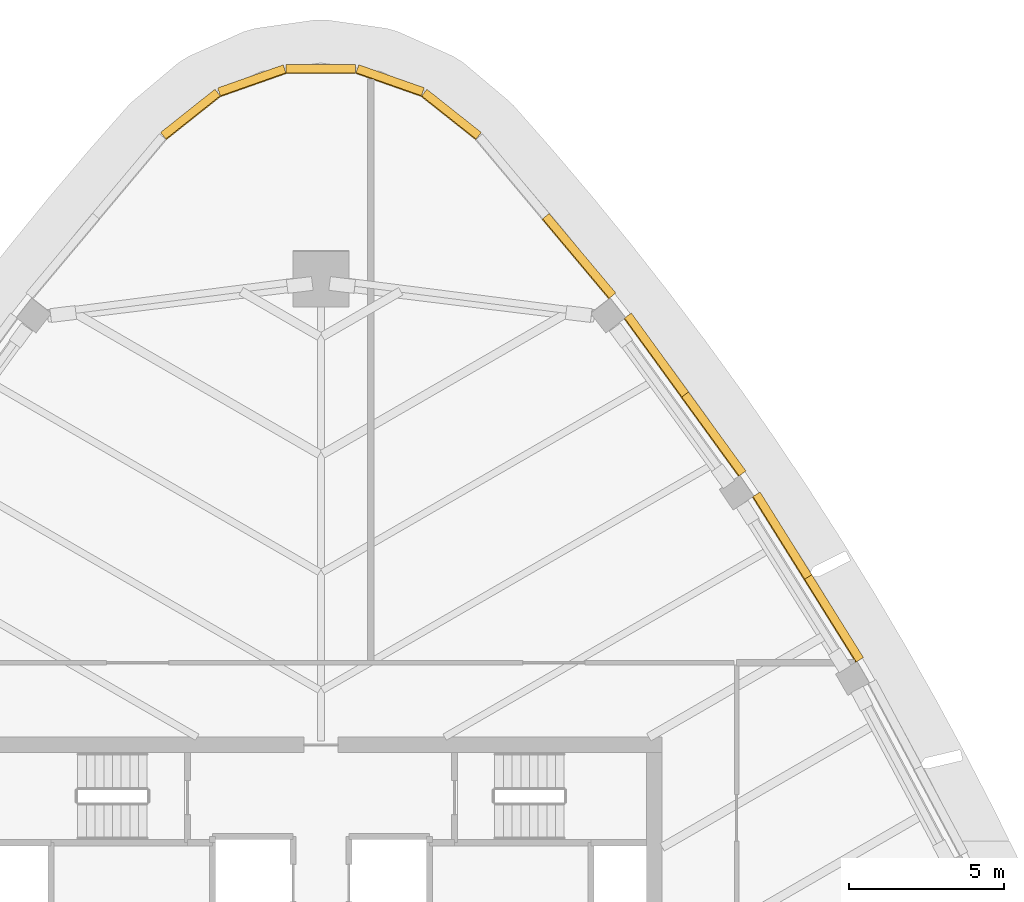
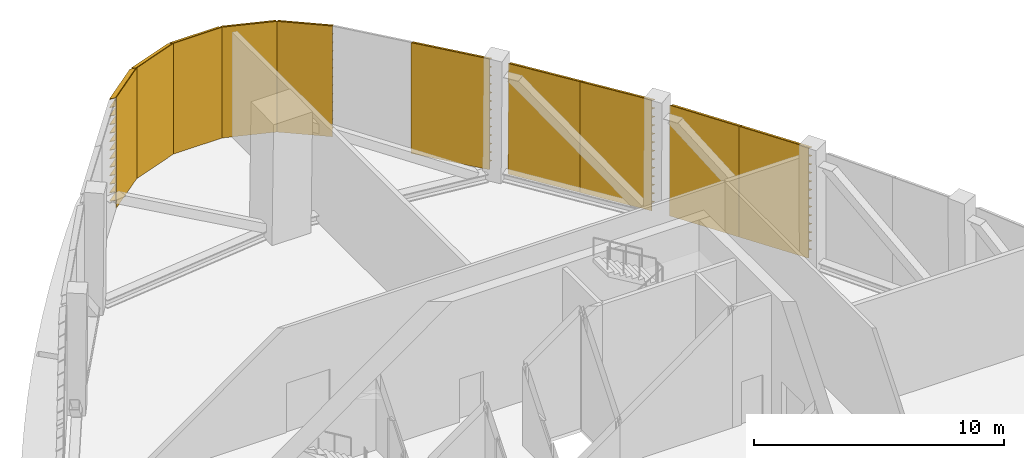
# One storey, part 13 of 15: 10 shading devices.
"""IFC4 building model written with IfcOpenShell, lengths in metres."""

from ifc_helpers import new_model, si_unit, direction, frame, origin, place, context, subcontext, project, spatial, polyline, outline, extrude, material, type_object, element, save


model = new_model("IFC4")

# Units and contexts
model_context = context("Model", 3, precision=1e-05, world=origin(), true_north=direction((0.0, 1.0)))
body_context = subcontext(model_context, "Body", "Model", "MODEL_VIEW")
ifc_project = project(units=[si_unit("LENGTHUNIT", "METRE"), si_unit("AREAUNIT", "SQUARE_METRE"), si_unit("VOLUMEUNIT", "CUBIC_METRE"), si_unit("PLANEANGLEUNIT", "RADIAN"), si_unit("MASSUNIT", "GRAM", prefix="KILO")], contexts=[model_context])

# Site, building, storey
site_placement = place(None, origin())
site = spatial("IfcSite", under=ifc_project, at=site_placement, CompositionType="ELEMENT")
building_placement = place(site_placement, origin())
building = spatial("IfcBuilding", under=site, at=building_placement, Name="Sierra Prisma Convention Tower", CompositionType="ELEMENT")
storey_placement = place(building_placement, frame((0.0, 0.0, 324.39990234375)))
storey = spatial("IfcBuildingStorey", under=building, at=storey_placement, Name="L74", CompositionType="ELEMENT", Elevation=324.39990234375)

# Shading devices
ifc_material = material(Name="Aluminium 6063-T6 bronze anodised", Category="aluminium")
shading_device_type = type_object("IfcShadingDeviceType", Name="Louvre bay bronze", PredefinedType="USERDEFINED", material=ifc_material)
shading_device_1_placement = place(storey_placement, frame((17.231201171875, 10.409912109375, 0.0), z_axis=(0.529934826924, -0.848038371309, 0.0), x_axis=(0.0, 0.0, 1.0)))
element("IfcShadingDevice", 1, at=shading_device_1_placement, inside=storey, type_object=shading_device_type, Name="Louvre L74 NE4.1", ObjectType="LOUVRE", PredefinedType="USERDEFINED", context=body_context, shape_type="SweptSolid", body=[
    extrude(outline(polyline([(0.0, 0.0), (5.400146484375, 0.0), (5.400146484375, -0.029941834562068684), (5.380126953125, -0.029941834562068684), (5.260009765625, -0.29996180547653223), (5.22998046875, -0.29996180547653223), (5.35009765625, -0.029941834562068684), (4.984619140625, -0.029941834562068684), (4.964599609375, -0.029941834562068684), (4.8447265625, -0.29996180547653223), (4.814697265625, -0.29996180547653223), (4.934814453125, -0.029941834562068684), (4.5693359375, -0.029941834562068684), (4.54931640625, -0.029941834562068684), (4.429443359375, -0.29996180547653223), (4.3994140625, -0.29996180547653223), (4.519287109375, -0.029941834562068684), (4.154052734375, -0.029941834562068684), (4.134033203125, -0.029941834562068684), (4.013916015625, -0.29996180547653223), (3.98388671875, -0.29996180547653223), (4.10400390625, -0.029941834562068684), (3.738525390625, -0.029941834562068684), (3.718505859375, -0.029941834562068684), (3.5986328125, -0.29996180547653223), (3.568603515625, -0.29996180547653223), (3.6884765625, -0.029941834562068684), (3.3232421875, -0.029941834562068684), (3.30322265625, -0.029941834562068684), (3.18310546875, -0.29996180547653223), (3.153076171875, -0.29996180547653223), (3.273193359375, -0.029941834562068684), (2.90771484375, -0.029941834562068684), (2.8876953125, -0.029941834562068684), (2.767822265625, -0.29996180547653223), (2.73779296875, -0.29996180547653223), (2.85791015625, -0.029941834562068684), (2.492431640625, -0.029941834562068684), (2.472412109375, -0.029941834562068684), (2.352294921875, -0.29996180547653223), (2.322509765625, -0.29996180547653223), (2.4423828125, -0.029941834562068684), (2.076904296875, -0.029941834562068684), (2.05712890625, -0.029941834562068684), (1.93701171875, -0.29996180547653223), (1.906982421875, -0.29996180547653223), (2.027099609375, -0.029941834562068684), (1.66162109375, -0.029941834562068684), (1.6416015625, -0.029941834562068684), (1.521728515625, -0.29996180547653223), (1.49169921875, -0.29996180547653223), (1.611572265625, -0.029941834562068684), (1.246337890625, -0.029941834562068684), (1.226318359375, -0.029941834562068684), (1.106201171875, -0.29996180547653223), (1.076171875, -0.29996180547653223), (1.1962890625, -0.029941834562068684), (0.830810546875, -0.029941834562068684), (0.810791015625, -0.029941834562068684), (0.69091796875, -0.29996180547653223), (0.660888671875, -0.29996180547653223), (0.78076171875, -0.029941834562068684), (0.41552734375, -0.029941834562068684), (0.3955078125, -0.029941834562068684), (0.275390625, -0.29996180547653223), (0.245361328125, -0.29996180547653223), (0.365478515625, -0.029941834562068684), (0.0, -0.029941834562068684), (0.0, 0.0)])), origin(), (0.0, 0.0, -1.0), 3.1435546875),
])
shading_device_2_placement = place(storey_placement, frame((15.566162109375, 13.076416015625, 0.0), z_axis=(0.529934826924, -0.848038371309, 0.0), x_axis=(0.0, 0.0, 1.0)))
element("IfcShadingDevice", 2, at=shading_device_2_placement, inside=storey, type_object=shading_device_type, Name="Louvre L74 NE4.2", ObjectType="LOUVRE", PredefinedType="USERDEFINED", context=body_context, shape_type="SweptSolid", body=[
    extrude(outline(polyline([(0.0, 0.0), (5.400146484375, 0.0), (5.400146484375, -0.029941834562068684), (5.380126953125, -0.029941834562068684), (5.260009765625, -0.29996180547653223), (5.22998046875, -0.29996180547653223), (5.35009765625, -0.029941834562068684), (4.984619140625, -0.029941834562068684), (4.964599609375, -0.029941834562068684), (4.8447265625, -0.29996180547653223), (4.814697265625, -0.29996180547653223), (4.934814453125, -0.029941834562068684), (4.5693359375, -0.029941834562068684), (4.54931640625, -0.029941834562068684), (4.429443359375, -0.29996180547653223), (4.3994140625, -0.29996180547653223), (4.519287109375, -0.029941834562068684), (4.154052734375, -0.029941834562068684), (4.134033203125, -0.029941834562068684), (4.013916015625, -0.29996180547653223), (3.98388671875, -0.29996180547653223), (4.10400390625, -0.029941834562068684), (3.738525390625, -0.029941834562068684), (3.718505859375, -0.029941834562068684), (3.5986328125, -0.29996180547653223), (3.568603515625, -0.29996180547653223), (3.6884765625, -0.029941834562068684), (3.3232421875, -0.029941834562068684), (3.30322265625, -0.029941834562068684), (3.18310546875, -0.29996180547653223), (3.153076171875, -0.29996180547653223), (3.273193359375, -0.029941834562068684), (2.90771484375, -0.029941834562068684), (2.8876953125, -0.029941834562068684), (2.767822265625, -0.29996180547653223), (2.73779296875, -0.29996180547653223), (2.85791015625, -0.029941834562068684), (2.492431640625, -0.029941834562068684), (2.472412109375, -0.029941834562068684), (2.352294921875, -0.29996180547653223), (2.322509765625, -0.29996180547653223), (2.4423828125, -0.029941834562068684), (2.076904296875, -0.029941834562068684), (2.05712890625, -0.029941834562068684), (1.93701171875, -0.29996180547653223), (1.906982421875, -0.29996180547653223), (2.027099609375, -0.029941834562068684), (1.66162109375, -0.029941834562068684), (1.6416015625, -0.029941834562068684), (1.521728515625, -0.29996180547653223), (1.49169921875, -0.29996180547653223), (1.611572265625, -0.029941834562068684), (1.246337890625, -0.029941834562068684), (1.226318359375, -0.029941834562068684), (1.106201171875, -0.29996180547653223), (1.076171875, -0.29996180547653223), (1.1962890625, -0.029941834562068684), (0.830810546875, -0.029941834562068684), (0.810791015625, -0.029941834562068684), (0.69091796875, -0.29996180547653223), (0.660888671875, -0.29996180547653223), (0.78076171875, -0.029941834562068684), (0.41552734375, -0.029941834562068684), (0.3955078125, -0.029941834562068684), (0.275390625, -0.29996180547653223), (0.245361328125, -0.29996180547653223), (0.365478515625, -0.029941834562068684), (0.0, -0.029941834562068684), (0.0, 0.0)])), origin(), (0.0, 0.0, -1.0), 3.1435546875),
])
shading_device_3_placement = place(storey_placement, frame((13.45458984375, 16.406005859375, 0.0), z_axis=(0.587789648375, -0.809013800416, 0.0), x_axis=(0.0, 0.0, 1.0)))
element("IfcShadingDevice", 3, at=shading_device_3_placement, inside=storey, type_object=shading_device_type, Name="Louvre L74 NE5.1", ObjectType="LOUVRE", PredefinedType="USERDEFINED", context=body_context, shape_type="SweptSolid", body=[
    extrude(outline(polyline([(0.0, 0.0), (5.400146484375, 0.0), (5.400146484375, -0.0298860402646882), (5.380126953125, -0.0298860402646882), (5.260009765625, -0.3001349749854632), (5.22998046875, -0.3001349749854632), (5.35009765625, -0.0298860402646882), (4.984619140625, -0.0298860402646882), (4.964599609375, -0.0298860402646882), (4.8447265625, -0.3001349749854632), (4.814697265625, -0.3001349749854632), (4.934814453125, -0.0298860402646882), (4.5693359375, -0.0298860402646882), (4.54931640625, -0.0298860402646882), (4.429443359375, -0.3001349749854632), (4.3994140625, -0.3001349749854632), (4.519287109375, -0.0298860402646882), (4.154052734375, -0.0298860402646882), (4.134033203125, -0.0298860402646882), (4.013916015625, -0.3001349749854632), (3.98388671875, -0.3001349749854632), (4.10400390625, -0.0298860402646882), (3.738525390625, -0.0298860402646882), (3.718505859375, -0.0298860402646882), (3.5986328125, -0.3001349749854632), (3.568603515625, -0.3001349749854632), (3.6884765625, -0.0298860402646882), (3.3232421875, -0.0298860402646882), (3.30322265625, -0.0298860402646882), (3.18310546875, -0.3001349749854632), (3.153076171875, -0.3001349749854632), (3.273193359375, -0.0298860402646882), (2.90771484375, -0.0298860402646882), (2.8876953125, -0.0298860402646882), (2.767822265625, -0.3001349749854632), (2.73779296875, -0.3001349749854632), (2.85791015625, -0.0298860402646882), (2.492431640625, -0.0298860402646882), (2.472412109375, -0.0298860402646882), (2.352294921875, -0.3001349749854632), (2.322509765625, -0.3001349749854632), (2.4423828125, -0.0298860402646882), (2.076904296875, -0.0298860402646882), (2.05712890625, -0.0298860402646882), (1.93701171875, -0.3001349749854632), (1.906982421875, -0.3001349749854632), (2.027099609375, -0.0298860402646882), (1.66162109375, -0.0298860402646882), (1.6416015625, -0.0298860402646882), (1.521728515625, -0.3001349749854632), (1.49169921875, -0.3001349749854632), (1.611572265625, -0.0298860402646882), (1.246337890625, -0.0298860402646882), (1.226318359375, -0.0298860402646882), (1.106201171875, -0.3001349749854632), (1.076171875, -0.3001349749854632), (1.1962890625, -0.0298860402646882), (0.830810546875, -0.0298860402646882), (0.810791015625, -0.0298860402646882), (0.69091796875, -0.3001349749854632), (0.660888671875, -0.3001349749854632), (0.78076171875, -0.0298860402646882), (0.41552734375, -0.0298860402646882), (0.3955078125, -0.0298860402646882), (0.275390625, -0.3001349749854632), (0.245361328125, -0.3001349749854632), (0.365478515625, -0.0298860402646882), (0.0, -0.0298860402646882), (0.0, 0.0)])), origin(), (0.0, 0.0, -1.0), 3.1435546875),
])
shading_device_4_placement = place(storey_placement, frame((11.609375, 18.951171875, 0.0), z_axis=(0.58772573837, -0.809060230426, 0.0), x_axis=(0.0, 0.0, 1.0)))
element("IfcShadingDevice", 4, at=shading_device_4_placement, inside=storey, type_object=shading_device_type, Name="Louvre L74 NE5.2", ObjectType="LOUVRE", PredefinedType="USERDEFINED", context=body_context, shape_type="SweptSolid", body=[
    extrude(outline(polyline([(0.0, 0.0), (5.400146484375, 0.0), (5.400146484375, -0.029886039056358032), (5.380126953125, -0.029886039056358032), (5.260009765625, -0.2997939761739502), (5.22998046875, -0.2997939761739502), (5.35009765625, -0.029886039056358032), (4.984619140625, -0.029886039056358032), (4.964599609375, -0.029886039056358032), (4.8447265625, -0.2997939761739502), (4.814697265625, -0.2997939761739502), (4.934814453125, -0.029886039056358032), (4.5693359375, -0.029886039056358032), (4.54931640625, -0.029886039056358032), (4.429443359375, -0.2997939761739502), (4.3994140625, -0.2997939761739502), (4.519287109375, -0.029886039056358032), (4.154052734375, -0.029886039056358032), (4.134033203125, -0.029886039056358032), (4.013916015625, -0.2997939761739502), (3.98388671875, -0.2997939761739502), (4.10400390625, -0.029886039056358032), (3.738525390625, -0.029886039056358032), (3.718505859375, -0.029886039056358032), (3.5986328125, -0.2997939761739502), (3.568603515625, -0.2997939761739502), (3.6884765625, -0.029886039056358032), (3.3232421875, -0.029886039056358032), (3.30322265625, -0.029886039056358032), (3.18310546875, -0.2997939761739502), (3.153076171875, -0.2997939761739502), (3.273193359375, -0.029886039056358032), (2.90771484375, -0.029886039056358032), (2.8876953125, -0.029886039056358032), (2.767822265625, -0.2997939761739502), (2.73779296875, -0.2997939761739502), (2.85791015625, -0.029886039056358032), (2.492431640625, -0.029886039056358032), (2.472412109375, -0.029886039056358032), (2.352294921875, -0.2997939761739502), (2.322509765625, -0.2997939761739502), (2.4423828125, -0.029886039056358032), (2.076904296875, -0.029886039056358032), (2.05712890625, -0.029886039056358032), (1.93701171875, -0.2997939761739502), (1.906982421875, -0.2997939761739502), (2.027099609375, -0.029886039056358032), (1.66162109375, -0.029886039056358032), (1.6416015625, -0.029886039056358032), (1.521728515625, -0.2997939761739502), (1.49169921875, -0.2997939761739502), (1.611572265625, -0.029886039056358032), (1.246337890625, -0.029886039056358032), (1.226318359375, -0.029886039056358032), (1.106201171875, -0.2997939761739502), (1.076171875, -0.2997939761739502), (1.1962890625, -0.029886039056358032), (0.830810546875, -0.029886039056358032), (0.810791015625, -0.029886039056358032), (0.69091796875, -0.2997939761739502), (0.660888671875, -0.2997939761739502), (0.78076171875, -0.029886039056358032), (0.41552734375, -0.029886039056358032), (0.3955078125, -0.029886039056358032), (0.275390625, -0.2997939761739502), (0.245361328125, -0.2997939761739502), (0.365478515625, -0.029886039056358032), (0.0, -0.029886039056358032), (0.0, 0.0)])), origin(), (0.0, 0.0, -1.0), 3.1435546875),
])
shading_device_5_placement = place(storey_placement, frame((9.272705078125, 22.126953125, 0.0), z_axis=(0.642613814804, -0.766190240752, 0.0), x_axis=(0.0, 0.0, 1.0)))
element("IfcShadingDevice", 5, at=shading_device_5_placement, inside=storey, type_object=shading_device_type, Name="Louvre L74 NE6.1", ObjectType="LOUVRE", PredefinedType="USERDEFINED", context=body_context, shape_type="SweptSolid", body=[
    extrude(outline(polyline([(0.0, 0.0), (5.400146484375, 0.0), (5.400146484375, -0.02997763037113521), (5.380126953125, -0.02997763037113521), (5.260009765625, -0.2998366437630842), (5.22998046875, -0.2998366437630842), (5.35009765625, -0.02997763037113521), (4.984619140625, -0.02997763037113521), (4.964599609375, -0.02997763037113521), (4.8447265625, -0.2998366437630842), (4.814697265625, -0.2998366437630842), (4.934814453125, -0.02997763037113521), (4.5693359375, -0.02997763037113521), (4.54931640625, -0.02997763037113521), (4.429443359375, -0.2998366437630842), (4.3994140625, -0.2998366437630842), (4.519287109375, -0.02997763037113521), (4.154052734375, -0.02997763037113521), (4.134033203125, -0.02997763037113521), (4.013916015625, -0.2998366437630842), (3.98388671875, -0.2998366437630842), (4.10400390625, -0.02997763037113521), (3.738525390625, -0.02997763037113521), (3.718505859375, -0.02997763037113521), (3.5986328125, -0.2998366437630842), (3.568603515625, -0.2998366437630842), (3.6884765625, -0.02997763037113521), (3.3232421875, -0.02997763037113521), (3.30322265625, -0.02997763037113521), (3.18310546875, -0.2998366437630842), (3.153076171875, -0.2998366437630842), (3.273193359375, -0.02997763037113521), (2.90771484375, -0.02997763037113521), (2.8876953125, -0.02997763037113521), (2.767822265625, -0.2998366437630842), (2.73779296875, -0.2998366437630842), (2.85791015625, -0.02997763037113521), (2.492431640625, -0.02997763037113521), (2.472412109375, -0.02997763037113521), (2.352294921875, -0.2998366437630842), (2.322509765625, -0.2998366437630842), (2.4423828125, -0.02997763037113521), (2.076904296875, -0.02997763037113521), (2.05712890625, -0.02997763037113521), (1.93701171875, -0.2998366437630842), (1.906982421875, -0.2998366437630842), (2.027099609375, -0.02997763037113521), (1.66162109375, -0.02997763037113521), (1.6416015625, -0.02997763037113521), (1.521728515625, -0.2998366437630842), (1.49169921875, -0.2998366437630842), (1.611572265625, -0.02997763037113521), (1.246337890625, -0.02997763037113521), (1.226318359375, -0.02997763037113521), (1.106201171875, -0.2998366437630842), (1.076171875, -0.2998366437630842), (1.1962890625, -0.02997763037113521), (0.830810546875, -0.02997763037113521), (0.810791015625, -0.02997763037113521), (0.69091796875, -0.2998366437630842), (0.660888671875, -0.2998366437630842), (0.78076171875, -0.02997763037113521), (0.41552734375, -0.02997763037113521), (0.3955078125, -0.02997763037113521), (0.275390625, -0.2998366437630842), (0.245361328125, -0.2998366437630842), (0.365478515625, -0.02997763037113521), (0.0, -0.02997763037113521), (0.0, 0.0)])), origin(), (0.0, 0.0, -1.0), 3.343505859375),
])
shading_device_6_placement = place(storey_placement, frame((4.982666015625, 27.256591796875, 0.0), z_axis=(0.783452045236, -0.621452245001, 0.0), x_axis=(0.0, 0.0, 1.0)))
element("IfcShadingDevice", 6, at=shading_device_6_placement, inside=storey, type_object=shading_device_type, Name="Louvre L74 N1.1", ObjectType="LOUVRE", PredefinedType="USERDEFINED", context=body_context, shape_type="SweptSolid", body=[
    extrude(outline(polyline([(0.0, 0.0), (5.400146484375, 0.0), (5.400146484375, -0.029893009512366994), (5.380126953125, -0.029893009512366994), (5.260009765625, -0.30007124876514313), (5.22998046875, -0.30007124876514313), (5.35009765625, -0.029893009512366994), (4.984619140625, -0.029893009512366994), (4.964599609375, -0.029893009512366994), (4.8447265625, -0.30007124876514313), (4.814697265625, -0.30007124876514313), (4.934814453125, -0.029893009512366994), (4.5693359375, -0.029893009512366994), (4.54931640625, -0.029893009512366994), (4.429443359375, -0.30007124876514313), (4.3994140625, -0.30007124876514313), (4.519287109375, -0.029893009512366994), (4.154052734375, -0.029893009512366994), (4.134033203125, -0.029893009512366994), (4.013916015625, -0.30007124876514313), (3.98388671875, -0.30007124876514313), (4.10400390625, -0.029893009512366994), (3.738525390625, -0.029893009512366994), (3.718505859375, -0.029893009512366994), (3.5986328125, -0.30007124876514313), (3.568603515625, -0.30007124876514313), (3.6884765625, -0.029893009512366994), (3.3232421875, -0.029893009512366994), (3.30322265625, -0.029893009512366994), (3.18310546875, -0.30007124876514313), (3.153076171875, -0.30007124876514313), (3.273193359375, -0.029893009512366994), (2.90771484375, -0.029893009512366994), (2.8876953125, -0.029893009512366994), (2.767822265625, -0.30007124876514313), (2.73779296875, -0.30007124876514313), (2.85791015625, -0.029893009512366994), (2.492431640625, -0.029893009512366994), (2.472412109375, -0.029893009512366994), (2.352294921875, -0.30007124876514313), (2.322509765625, -0.30007124876514313), (2.4423828125, -0.029893009512366994), (2.076904296875, -0.029893009512366994), (2.05712890625, -0.029893009512366994), (1.93701171875, -0.30007124876514313), (1.906982421875, -0.30007124876514313), (2.027099609375, -0.029893009512366994), (1.66162109375, -0.029893009512366994), (1.6416015625, -0.029893009512366994), (1.521728515625, -0.30007124876514313), (1.49169921875, -0.30007124876514313), (1.611572265625, -0.029893009512366994), (1.246337890625, -0.029893009512366994), (1.226318359375, -0.029893009512366994), (1.106201171875, -0.30007124876514313), (1.076171875, -0.30007124876514313), (1.1962890625, -0.029893009512366994), (0.830810546875, -0.029893009512366994), (0.810791015625, -0.029893009512366994), (0.69091796875, -0.30007124876514313), (0.660888671875, -0.30007124876514313), (0.78076171875, -0.029893009512366994), (0.41552734375, -0.029893009512366994), (0.3955078125, -0.029893009512366994), (0.275390625, -0.30007124876514313), (0.245361328125, -0.30007124876514313), (0.365478515625, -0.029893009512366994), (0.0, -0.029893009512366994), (0.0, 0.0)])), origin(), (0.0, 0.0, -1.0), 2.237548828125),
])
shading_device_7_placement = place(storey_placement, frame((3.231201171875, 28.649169921875, 0.0), z_axis=(0.94343723476, -0.331551178657, 0.0), x_axis=(0.0, 0.0, 1.0)))
element("IfcShadingDevice", 7, at=shading_device_7_placement, inside=storey, type_object=shading_device_type, Name="Louvre L74 N2.1", ObjectType="LOUVRE", PredefinedType="USERDEFINED", context=body_context, shape_type="SweptSolid", body=[
    extrude(outline(polyline([(0.0, 0.0), (5.400146484375, 0.0), (5.400146484375, -0.030037186903581498), (5.380126953125, -0.030037186903581498), (5.260009765625, -0.30019747483207376), (5.22998046875, -0.30019747483207376), (5.35009765625, -0.030037186903581498), (4.984619140625, -0.030037186903581498), (4.964599609375, -0.030037186903581498), (4.8447265625, -0.30019747483207376), (4.814697265625, -0.30019747483207376), (4.934814453125, -0.030037186903581498), (4.5693359375, -0.030037186903581498), (4.54931640625, -0.030037186903581498), (4.429443359375, -0.30019747483207376), (4.3994140625, -0.30019747483207376), (4.519287109375, -0.030037186903581498), (4.154052734375, -0.030037186903581498), (4.134033203125, -0.030037186903581498), (4.013916015625, -0.30019747483207376), (3.98388671875, -0.30019747483207376), (4.10400390625, -0.030037186903581498), (3.738525390625, -0.030037186903581498), (3.718505859375, -0.030037186903581498), (3.5986328125, -0.30019747483207376), (3.568603515625, -0.30019747483207376), (3.6884765625, -0.030037186903581498), (3.3232421875, -0.030037186903581498), (3.30322265625, -0.030037186903581498), (3.18310546875, -0.30019747483207376), (3.153076171875, -0.30019747483207376), (3.273193359375, -0.030037186903581498), (2.90771484375, -0.030037186903581498), (2.8876953125, -0.030037186903581498), (2.767822265625, -0.30019747483207376), (2.73779296875, -0.30019747483207376), (2.85791015625, -0.030037186903581498), (2.492431640625, -0.030037186903581498), (2.472412109375, -0.030037186903581498), (2.352294921875, -0.30019747483207376), (2.322509765625, -0.30019747483207376), (2.4423828125, -0.030037186903581498), (2.076904296875, -0.030037186903581498), (2.05712890625, -0.030037186903581498), (1.93701171875, -0.30019747483207376), (1.906982421875, -0.30019747483207376), (2.027099609375, -0.030037186903581498), (1.66162109375, -0.030037186903581498), (1.6416015625, -0.030037186903581498), (1.521728515625, -0.30019747483207376), (1.49169921875, -0.30019747483207376), (1.611572265625, -0.030037186903581498), (1.246337890625, -0.030037186903581498), (1.226318359375, -0.030037186903581498), (1.106201171875, -0.30019747483207376), (1.076171875, -0.30019747483207376), (1.1962890625, -0.030037186903581498), (0.830810546875, -0.030037186903581498), (0.810791015625, -0.030037186903581498), (0.69091796875, -0.30019747483207376), (0.660888671875, -0.30019747483207376), (0.78076171875, -0.030037186903581498), (0.41552734375, -0.030037186903581498), (0.3955078125, -0.030037186903581498), (0.275390625, -0.30019747483207376), (0.245361328125, -0.30019747483207376), (0.365478515625, -0.030037186903581498), (0.0, -0.030037186903581498), (0.0, 0.0)])), origin(), (0.0, 0.0, -1.0), 2.237548828125),
])
shading_device_8_placement = place(storey_placement, frame((1.11865234375, 29.38671875, 0.0), z_axis=(1.0, 0.0, 0.0), x_axis=(0.0, 0.0, 1.0)))
element("IfcShadingDevice", 8, at=shading_device_8_placement, inside=storey, type_object=shading_device_type, Name="Louvre L74 N3.1", ObjectType="LOUVRE", PredefinedType="USERDEFINED", context=body_context, shape_type="SweptSolid", body=[
    extrude(outline(polyline([(0.0, 0.0), (5.400146484375, 0.0), (5.400146484375, -0.030029296875), (5.380126953125, -0.030029296875), (5.260009765625, -0.300048828125), (5.22998046875, -0.300048828125), (5.35009765625, -0.030029296875), (4.984619140625, -0.030029296875), (4.964599609375, -0.030029296875), (4.8447265625, -0.300048828125), (4.814697265625, -0.300048828125), (4.934814453125, -0.030029296875), (4.5693359375, -0.030029296875), (4.54931640625, -0.030029296875), (4.429443359375, -0.300048828125), (4.3994140625, -0.300048828125), (4.519287109375, -0.030029296875), (4.154052734375, -0.030029296875), (4.134033203125, -0.030029296875), (4.013916015625, -0.300048828125), (3.98388671875, -0.300048828125), (4.10400390625, -0.030029296875), (3.738525390625, -0.030029296875), (3.718505859375, -0.030029296875), (3.5986328125, -0.300048828125), (3.568603515625, -0.300048828125), (3.6884765625, -0.030029296875), (3.3232421875, -0.030029296875), (3.30322265625, -0.030029296875), (3.18310546875, -0.300048828125), (3.153076171875, -0.300048828125), (3.273193359375, -0.030029296875), (2.90771484375, -0.030029296875), (2.8876953125, -0.030029296875), (2.767822265625, -0.300048828125), (2.73779296875, -0.300048828125), (2.85791015625, -0.030029296875), (2.492431640625, -0.030029296875), (2.472412109375, -0.030029296875), (2.352294921875, -0.300048828125), (2.322509765625, -0.300048828125), (2.4423828125, -0.030029296875), (2.076904296875, -0.030029296875), (2.05712890625, -0.030029296875), (1.93701171875, -0.300048828125), (1.906982421875, -0.300048828125), (2.027099609375, -0.030029296875), (1.66162109375, -0.030029296875), (1.6416015625, -0.030029296875), (1.521728515625, -0.300048828125), (1.49169921875, -0.300048828125), (1.611572265625, -0.030029296875), (1.246337890625, -0.030029296875), (1.226318359375, -0.030029296875), (1.106201171875, -0.300048828125), (1.076171875, -0.300048828125), (1.1962890625, -0.030029296875), (0.830810546875, -0.030029296875), (0.810791015625, -0.030029296875), (0.69091796875, -0.300048828125), (0.660888671875, -0.300048828125), (0.78076171875, -0.030029296875), (0.41552734375, -0.030029296875), (0.3955078125, -0.030029296875), (0.275390625, -0.300048828125), (0.245361328125, -0.300048828125), (0.365478515625, -0.030029296875), (0.0, -0.030029296875), (0.0, 0.0)])), origin(), (0.0, 0.0, -1.0), 2.237548828125),
])
shading_device_9_placement = place(storey_placement, frame((-1.11865234375, 29.38671875, 0.0), z_axis=(0.943286673758, 0.331979293195, 0.0), x_axis=(0.0, 0.0, 1.0)))
element("IfcShadingDevice", 9, at=shading_device_9_placement, inside=storey, type_object=shading_device_type, Name="Louvre L74 N4.1", ObjectType="LOUVRE", PredefinedType="USERDEFINED", context=body_context, shape_type="SweptSolid", body=[
    extrude(outline(polyline([(0.0, 0.0), (5.400146484375, 0.0), (5.400146484375, -0.030037208295151985), (5.380126953125, -0.030037208295151985), (5.260009765625, -0.3000478844230088), (5.22998046875, -0.3000478844230088), (5.35009765625, -0.030037208295151985), (4.984619140625, -0.030037208295151985), (4.964599609375, -0.030037208295151985), (4.8447265625, -0.3000478844230088), (4.814697265625, -0.3000478844230088), (4.934814453125, -0.030037208295151985), (4.5693359375, -0.030037208295151985), (4.54931640625, -0.030037208295151985), (4.429443359375, -0.3000478844230088), (4.3994140625, -0.3000478844230088), (4.519287109375, -0.030037208295151985), (4.154052734375, -0.030037208295151985), (4.134033203125, -0.030037208295151985), (4.013916015625, -0.3000478844230088), (3.98388671875, -0.3000478844230088), (4.10400390625, -0.030037208295151985), (3.738525390625, -0.030037208295151985), (3.718505859375, -0.030037208295151985), (3.5986328125, -0.3000478844230088), (3.568603515625, -0.3000478844230088), (3.6884765625, -0.030037208295151985), (3.3232421875, -0.030037208295151985), (3.30322265625, -0.030037208295151985), (3.18310546875, -0.3000478844230088), (3.153076171875, -0.3000478844230088), (3.273193359375, -0.030037208295151985), (2.90771484375, -0.030037208295151985), (2.8876953125, -0.030037208295151985), (2.767822265625, -0.3000478844230088), (2.73779296875, -0.3000478844230088), (2.85791015625, -0.030037208295151985), (2.492431640625, -0.030037208295151985), (2.472412109375, -0.030037208295151985), (2.352294921875, -0.3000478844230088), (2.322509765625, -0.3000478844230088), (2.4423828125, -0.030037208295151985), (2.076904296875, -0.030037208295151985), (2.05712890625, -0.030037208295151985), (1.93701171875, -0.3000478844230088), (1.906982421875, -0.3000478844230088), (2.027099609375, -0.030037208295151985), (1.66162109375, -0.030037208295151985), (1.6416015625, -0.030037208295151985), (1.521728515625, -0.3000478844230088), (1.49169921875, -0.3000478844230088), (1.611572265625, -0.030037208295151985), (1.246337890625, -0.030037208295151985), (1.226318359375, -0.030037208295151985), (1.106201171875, -0.3000478844230088), (1.076171875, -0.3000478844230088), (1.1962890625, -0.030037208295151985), (0.830810546875, -0.030037208295151985), (0.810791015625, -0.030037208295151985), (0.69091796875, -0.3000478844230088), (0.660888671875, -0.3000478844230088), (0.78076171875, -0.030037208295151985), (0.41552734375, -0.030037208295151985), (0.3955078125, -0.030037208295151985), (0.275390625, -0.3000478844230088), (0.245361328125, -0.3000478844230088), (0.365478515625, -0.030037208295151985), (0.0, -0.030037208295151985), (0.0, 0.0)])), origin(), (0.0, 0.0, -1.0), 2.237548828125),
])
shading_device_10_placement = place(storey_placement, frame((-3.231201171875, 28.649169921875, 0.0), z_axis=(0.782993228755, 0.622030227339, 0.0), x_axis=(0.0, 0.0, 1.0)))
element("IfcShadingDevice", 10, at=shading_device_10_placement, inside=storey, type_object=shading_device_type, Name="Louvre L74 N5.1", ObjectType="LOUVRE", PredefinedType="USERDEFINED", context=body_context, shape_type="SweptSolid", body=[
    extrude(outline(polyline([(0.0, 0.0), (5.400146484375, 0.0), (5.400146484375, -0.030236003587491095), (5.380126953125, -0.030236003587491095), (5.260009765625, -0.3000714379826412), (5.22998046875, -0.3000714379826412), (5.35009765625, -0.030236003587491095), (4.984619140625, -0.030236003587491095), (4.964599609375, -0.030236003587491095), (4.8447265625, -0.3000714379826412), (4.814697265625, -0.3000714379826412), (4.934814453125, -0.030236003587491095), (4.5693359375, -0.030236003587491095), (4.54931640625, -0.030236003587491095), (4.429443359375, -0.3000714379826412), (4.3994140625, -0.3000714379826412), (4.519287109375, -0.030236003587491095), (4.154052734375, -0.030236003587491095), (4.134033203125, -0.030236003587491095), (4.013916015625, -0.3000714379826412), (3.98388671875, -0.3000714379826412), (4.10400390625, -0.030236003587491095), (3.738525390625, -0.030236003587491095), (3.718505859375, -0.030236003587491095), (3.5986328125, -0.3000714379826412), (3.568603515625, -0.3000714379826412), (3.6884765625, -0.030236003587491095), (3.3232421875, -0.030236003587491095), (3.30322265625, -0.030236003587491095), (3.18310546875, -0.3000714379826412), (3.153076171875, -0.3000714379826412), (3.273193359375, -0.030236003587491095), (2.90771484375, -0.030236003587491095), (2.8876953125, -0.030236003587491095), (2.767822265625, -0.3000714379826412), (2.73779296875, -0.3000714379826412), (2.85791015625, -0.030236003587491095), (2.492431640625, -0.030236003587491095), (2.472412109375, -0.030236003587491095), (2.352294921875, -0.3000714379826412), (2.322509765625, -0.3000714379826412), (2.4423828125, -0.030236003587491095), (2.076904296875, -0.030236003587491095), (2.05712890625, -0.030236003587491095), (1.93701171875, -0.3000714379826412), (1.906982421875, -0.3000714379826412), (2.027099609375, -0.030236003587491095), (1.66162109375, -0.030236003587491095), (1.6416015625, -0.030236003587491095), (1.521728515625, -0.3000714379826412), (1.49169921875, -0.3000714379826412), (1.611572265625, -0.030236003587491095), (1.246337890625, -0.030236003587491095), (1.226318359375, -0.030236003587491095), (1.106201171875, -0.3000714379826412), (1.076171875, -0.3000714379826412), (1.1962890625, -0.030236003587491095), (0.830810546875, -0.030236003587491095), (0.810791015625, -0.030236003587491095), (0.69091796875, -0.3000714379826412), (0.660888671875, -0.3000714379826412), (0.78076171875, -0.030236003587491095), (0.41552734375, -0.030236003587491095), (0.3955078125, -0.030236003587491095), (0.275390625, -0.3000714379826412), (0.245361328125, -0.3000714379826412), (0.365478515625, -0.030236003587491095), (0.0, -0.030236003587491095), (0.0, 0.0)])), origin(), (0.0, 0.0, -1.0), 2.237548828125),
])

save(model, "model.ifc")
